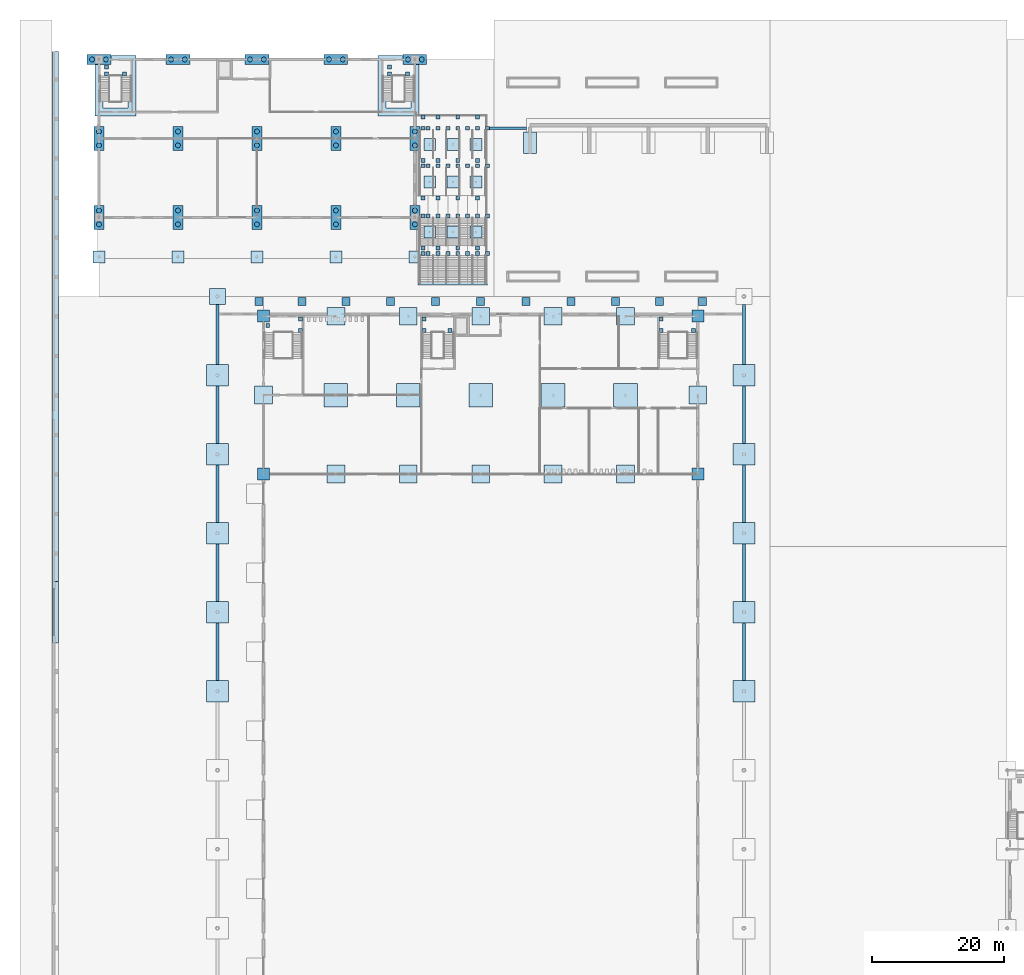
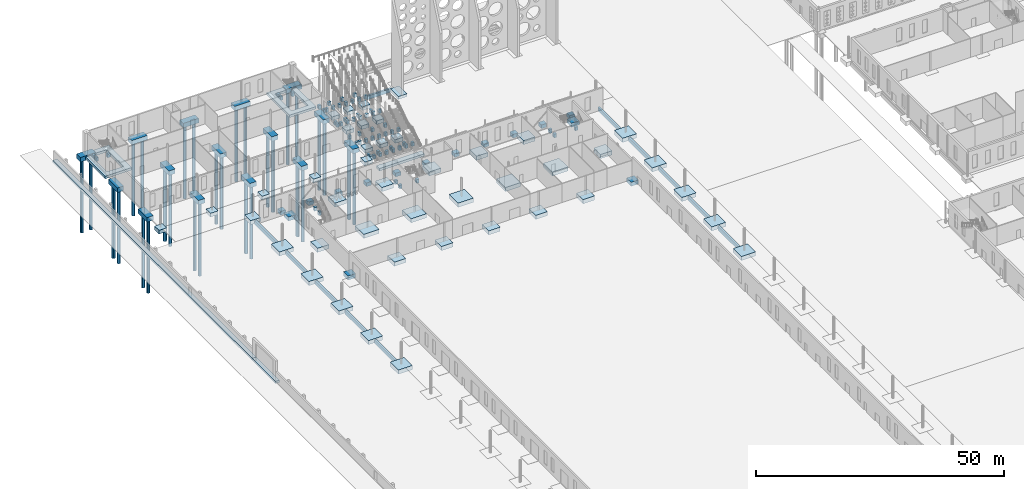
# One storey, part 4 of 132: 152 footings, 30 piles.
"""IFC4 building model written with IfcOpenShell, lengths in metres."""

import ifcopenshell
import ifcopenshell.guid

model = None  # the IFC model being written
_history = None  # IfcOwnerHistory: only IFC2X3 demands one
_inside = {}  # id of a spatial element -> (the spatial element, [elements in it])
_under = {}  # id of a project, library or spatial element -> (it, [spatial elements below it])
_declared = {}  # id of a project -> (the project, [libraries it declares])
_typed = {}  # id of a type object -> (the type object, [elements of that type])
_made_of = {}  # id of a material, layer set ... -> (it, [elements and type objects made of it])


def new_model(schema):
    """Start an empty IFC model of exactly this schema.

    Asked for "IFC4X3", IfcOpenShell would pick the latest addendum, in which some entities
    have other attributes; the version numbers below select the first issue.
    IFC2X3 requires an IfcOwnerHistory on every rooted entity: one is made here for all.
    """
    global model, _history
    if schema == "IFC4X3":
        model = ifcopenshell.file(schema_version=(4, 3, 0, 0))
    else:
        model = ifcopenshell.file(schema=schema)
    _inside.clear()
    _under.clear()
    _declared.clear()
    _typed.clear()
    _made_of.clear()
    _history = None
    if model.schema == "IFC2X3":
        org = make("IfcOrganization", Name="unknown")
        user = make(
            "IfcPersonAndOrganization",
            ThePerson=make("IfcPerson", FamilyName="unknown"),
            TheOrganization=org,
        )
        app = make(
            "IfcApplication",
            ApplicationDeveloper=org,
            Version="unknown",
            ApplicationFullName="unknown",
            ApplicationIdentifier="unknown",
        )
        _history = make(
            "IfcOwnerHistory",
            OwningUser=user,
            OwningApplication=app,
            ChangeAction="ADDED",
            CreationDate=0,
        )
    return model


def make(cls, **values):
    """One entity of the class cls with the attributes given. An attribute that is None is left unset."""
    return model.create_entity(
        cls, **{name: value for name, value in values.items() if value is not None}
    )


def rooted(cls, **values):
    """An entity with a GlobalId (a new one), such as an element, a storey or a relation."""
    return make(cls, GlobalId=ifcopenshell.guid.new(), OwnerHistory=_history, **values)


def si_unit(unit_type, name, prefix=None):
    """IfcSIUnit, for example si_unit("LENGTHUNIT", "METRE", prefix="MILLI")."""
    return make("IfcSIUnit", UnitType=unit_type, Prefix=prefix, Name=name)


def assignment(units):
    """IfcUnitAssignment: the units of a project."""
    return None if units is None else make("IfcUnitAssignment", Units=units)


def point(xyz):
    """IfcCartesianPoint."""
    return None if xyz is None else make("IfcCartesianPoint", Coordinates=xyz)


def direction(xyz):
    """IfcDirection."""
    return None if xyz is None else make("IfcDirection", DirectionRatios=xyz)


def frame(location, z_axis=None, x_axis=None):
    """IfcAxis2Placement3D, a coordinate frame: its origin and axes. An axis left out is left unset."""
    return make(
        "IfcAxis2Placement3D",
        Location=point(location),
        Axis=direction(z_axis),
        RefDirection=direction(x_axis),
    )


def frame_2d(location, x_axis=None):
    """IfcAxis2Placement2D, a coordinate frame in the plane: its origin and x axis."""
    return make(
        "IfcAxis2Placement2D", Location=point(location), RefDirection=direction(x_axis)
    )


def origin():
    """The frame at (0, 0, 0) with its axes left unset."""
    return frame((0.0, 0.0, 0.0))


def origin_2d():
    """The frame at (0, 0) in the plane with its x axis left unset."""
    return frame_2d((0.0, 0.0))


def place(relative_to, where):
    """IfcLocalPlacement: puts the frame where relative to a parent placement (None: the world)."""
    return make(
        "IfcLocalPlacement", PlacementRelTo=relative_to, RelativePlacement=where
    )


def context(
    kind, dimensions, precision=None, world=None, true_north=None, identifier=None
):
    """IfcGeometricRepresentationContext, for example the 3D "Model" context."""
    return make(
        "IfcGeometricRepresentationContext",
        ContextIdentifier=identifier,
        ContextType=kind,
        CoordinateSpaceDimension=dimensions,
        Precision=precision,
        WorldCoordinateSystem=world,
        TrueNorth=true_north,
    )


def subcontext(parent, identifier, kind, view, scale=None):
    """IfcGeometricRepresentationSubContext, for example "Body" below "Model"."""
    return make(
        "IfcGeometricRepresentationSubContext",
        ContextIdentifier=identifier,
        ContextType=kind,
        ParentContext=parent,
        TargetScale=scale,
        TargetView=view,
    )


def project(units=None, contexts=None):
    """IfcProject with its units and contexts."""
    return rooted(
        "IfcProject",
        Name="project",
        RepresentationContexts=contexts,
        UnitsInContext=assignment(units),
    )


def spatial(cls, under=None, at=None, **own):
    """A site, building, storey or space (cls), placed at a placement, below another one or the project."""
    s = rooted(cls, ObjectPlacement=at, **own)
    if under is not None:
        _under.setdefault(under.id(), (under, []))[1].append(s)
    return s


def polyline(points):
    """IfcPolyline through the points."""
    return make("IfcPolyline", Points=[point(p) for p in points])


def profile(cls, at=None, kind="AREA", **sizes):
    """A parametric profile (cls). Its sizes go by their IFC names, for example OverallWidth=200.0."""
    return make(cls, ProfileType=kind, Position=at, **sizes)


def rectangle(**sizes):
    """IfcRectangleProfileDef."""
    return profile("IfcRectangleProfileDef", **sizes)


def circle(**sizes):
    """IfcCircleProfileDef."""
    return profile("IfcCircleProfileDef", **sizes)


def outline(outer, holes=None, kind="AREA"):
    """IfcArbitraryClosedProfileDef: a profile drawn as a closed curve; with holes, ...WithVoids."""
    if holes is None:
        return make("IfcArbitraryClosedProfileDef", ProfileType=kind, OuterCurve=outer)
    return make(
        "IfcArbitraryProfileDefWithVoids",
        ProfileType=kind,
        OuterCurve=outer,
        InnerCurves=holes,
    )


def extrude(swept, where, along, depth):
    """IfcExtrudedAreaSolid: the profile swept, set in the frame where, extruded along a direction by depth."""
    return make(
        "IfcExtrudedAreaSolid",
        SweptArea=swept,
        Position=where,
        ExtrudedDirection=direction(along),
        Depth=depth,
    )


def shape(context_of_items, identifier, shape_type, items):
    """IfcShapeRepresentation: the items that make up one representation, for example the "Body"."""
    return make(
        "IfcShapeRepresentation",
        ContextOfItems=context_of_items,
        RepresentationIdentifier=identifier,
        RepresentationType=shape_type,
        Items=items,
    )


def material(Name=None, Category=None):
    """IfcMaterial."""
    return make("IfcMaterial", Name=Name, Category=Category)


def material_profile(
    of_material, cross_section, Name=None, Category=None, Priority=None
):
    """IfcMaterialProfile: a cross section and its material."""
    return make(
        "IfcMaterialProfile",
        Name=Name,
        Material=of_material,
        Profile=cross_section,
        Priority=Priority,
        Category=Category,
    )


def profile_set(profiles, Name=None, composite=None):
    """IfcMaterialProfileSet."""
    return make(
        "IfcMaterialProfileSet",
        Name=Name,
        MaterialProfiles=profiles,
        CompositeProfile=composite,
    )


def made_of(thing, what):
    """Note that an element or type object is made of a material, layer set ...; save() writes the relation."""
    if what is not None:
        _made_of.setdefault(what.id(), (what, []))[1].append(thing)
    return thing


def type_object(cls, material=None, **own):
    """A type object (cls), such as IfcWallType, which elements share."""
    return made_of(rooted(cls, **own), material)


def element(
    cls,
    number,
    at=None,
    inside=None,
    cuts=None,
    type_object=None,
    material=None,
    context=None,
    identifier="Body",
    shape_type=None,
    held_by="IfcProductDefinitionShape",
    body=None,
    shapes=None,
    **own,
):
    """One element of the class cls, such as IfcWall. Its Tag is "e" and its number.

    at: its placement. inside: the storey or other place that contains it. cuts: it is an
    opening in that element (IfcRelVoidsElement). A single representation is given by context,
    identifier, shape_type and body (its items); several are given by shapes. held_by: the class
    of the entity that holds the representations. save() writes the other relations.
    """
    e = rooted(cls, Tag="e%d" % number, ObjectPlacement=at, **own)
    if body is not None:
        shapes = [shape(context, identifier, shape_type, body)]
    if shapes is not None:
        e.Representation = make(held_by, Representations=shapes)
    if inside is not None:
        _inside.setdefault(inside.id(), (inside, []))[1].append(e)
    if cuts is not None:
        rooted(
            "IfcRelVoidsElement", RelatingBuildingElement=cuts, RelatedOpeningElement=e
        )
    if type_object is not None:
        _typed.setdefault(type_object.id(), (type_object, []))[1].append(e)
    return made_of(e, material)


def aggregate(whole, parts):
    """IfcRelAggregates: a whole, such as a stair, and the parts it consists of."""
    return rooted("IfcRelAggregates", RelatingObject=whole, RelatedObjects=parts)


def save(model, path):
    """Write the relations noted so far, then the file.

    IfcRelAggregates (storeys below a building ...), IfcRelContainedInSpatialStructure (elements
    in a storey), IfcRelDefinesByType, IfcRelAssociatesMaterial and IfcRelDeclares: one each for
    every whole, place, type object, material and project.
    """
    for whole, parts in _under.values():
        aggregate(whole, parts)
    for where, things in _inside.values():
        rooted(
            "IfcRelContainedInSpatialStructure",
            RelatedElements=things,
            RelatingStructure=where,
        )
    for kind, things in _typed.values():
        rooted("IfcRelDefinesByType", RelatedObjects=things, RelatingType=kind)
    for what, things in _made_of.values():
        rooted("IfcRelAssociatesMaterial", RelatedObjects=things, RelatingMaterial=what)
    for by, libraries in _declared.values():
        rooted("IfcRelDeclares", RelatingContext=by, RelatedDefinitions=libraries)
    model.write(path)


model = new_model("IFC4")

# Units and contexts
model_context = context("Model", 3, precision=1e-05, world=origin(), true_north=direction((0.0, 1.0)))
body_context = subcontext(model_context, "Body", "Model", "MODEL_VIEW")
ifc_project = project(units=[si_unit("LENGTHUNIT", "METRE"), si_unit("AREAUNIT", "SQUARE_METRE"), si_unit("VOLUMEUNIT", "CUBIC_METRE"), si_unit("PLANEANGLEUNIT", "RADIAN"), si_unit("MASSUNIT", "GRAM", prefix="KILO")], contexts=[model_context])

# Site, building, storey
site_placement = place(None, origin())
site = spatial("IfcSite", under=ifc_project, at=site_placement, CompositionType="ELEMENT")
building_placement = place(site_placement, origin())
building = spatial("IfcBuilding", under=site, at=building_placement, Name="Ravi Spectrum Wholesale Market", CompositionType="ELEMENT")
storey_placement = place(building_placement, origin())
storey = spatial("IfcBuildingStorey", under=building, at=storey_placement, Name="L00", CompositionType="ELEMENT", Elevation=0.0)

# Piles
ifc_material_1 = material(Name="Concrete C35/45", Category="concrete")
ifc_material_profile = material_profile(ifc_material_1, circle(Radius=0.375, at=origin_2d()))
ifc_profile_set = profile_set([ifc_material_profile], Name="Concrete C35/45")
pile_type = type_object("IfcPileType", Name="Bored pile D750", PredefinedType="BORED", material=ifc_profile_set)
for number, where, z_axis, x_axis, name in (
    (1, (12.0, 208.949951171875, -1.0), (0.0, 0.0, -1.0), (1.0, 0.0, 0.0), "OF-PL-L00-001"),
    (2, (12.0, 211.050048828125, -1.0), (0.0, 0.0, -1.0), (1.0, 0.0, 0.0), "OF-PL-L00-002"),
    (3, (12.0, 220.949951171875, -1.0), (0.0, 0.0, -1.0), (1.0, 0.0, 0.0), "OF-PL-L00-003"),
    (4, (12.0, 223.050048828125, -1.0), (0.0, 0.0, -1.0), (1.0, 0.0, 0.0), "OF-PL-L00-004"),
    (5, (10.949951171875, 234.0, -1.0), (0.0, 0.0, -1.0), (1.0, 0.0, 0.0), "OF-PL-L00-005"),
    (6, (13.050048828125, 234.0, -1.0), (0.0, 0.0, -1.0), (1.0, 0.0, 0.0), "OF-PL-L00-006"),
    (7, (24.0, 208.949951171875, -1.0), (0.0, 0.0, -1.0), (1.0, 0.0, 0.0), "OF-PL-L00-007"),
    (8, (24.0, 211.050048828125, -1.0), (0.0, 0.0, -1.0), (1.0, 0.0, 0.0), "OF-PL-L00-008"),
    (9, (24.0, 220.949951171875, -1.0), (0.0, 0.0, -1.0), (1.0, 0.0, 0.0), "OF-PL-L00-009"),
    (10, (24.0, 223.050048828125, -1.0), (0.0, 0.0, -1.0), (1.0, 0.0, 0.0), "OF-PL-L00-010"),
    (11, (22.949951171875, 234.0, -1.0), (0.0, 0.0, -1.0), (1.0, 0.0, 0.0), "OF-PL-L00-011"),
    (12, (25.050048828125, 234.0, -1.0), (0.0, 0.0, -1.0), (1.0, 0.0, 0.0), "OF-PL-L00-012"),
    (13, (36.0, 208.949951171875, -1.0), (0.0, 0.0, -1.0), (1.0, 0.0, 0.0), "OF-PL-L00-013"),
    (14, (36.0, 211.050048828125, -1.0), (0.0, 0.0, -1.0), (1.0, 0.0, 0.0), "OF-PL-L00-014"),
    (15, (36.0, 220.949951171875, -1.0), (0.0, 0.0, -1.0), (1.0, 0.0, 0.0), "OF-PL-L00-015"),
    (16, (36.0, 223.050048828125, -1.0), (0.0, 0.0, -1.0), (1.0, 0.0, 0.0), "OF-PL-L00-016"),
    (17, (34.949951171875, 234.0, -1.0), (0.0, 0.0, -1.0), (1.0, 0.0, 0.0), "OF-PL-L00-017"),
    (18, (37.050048828125, 234.0, -1.0), (0.0, 0.0, -1.0), (1.0, 0.0, 0.0), "OF-PL-L00-018"),
    (19, (48.0, 208.949951171875, -1.0), (0.0, 0.0, -1.0), (1.0, 0.0, 0.0), "OF-PL-L00-019"),
    (20, (48.0, 211.050048828125, -1.0), (0.0, 0.0, -1.0), (1.0, 0.0, 0.0), "OF-PL-L00-020"),
    (21, (48.0, 220.949951171875, -1.0), (0.0, 0.0, -1.0), (1.0, 0.0, 0.0), "OF-PL-L00-021"),
    (22, (48.0, 223.050048828125, -1.0), (0.0, 0.0, -1.0), (1.0, 0.0, 0.0), "OF-PL-L00-022"),
    (23, (46.949951171875, 234.0, -1.0), (0.0, 0.0, -1.0), (1.0, 0.0, 0.0), "OF-PL-L00-023"),
    (24, (49.050048828125, 234.0, -1.0), (0.0, 0.0, -1.0), (1.0, 0.0, 0.0), "OF-PL-L00-024"),
    (25, (60.0, 208.949951171875, -1.0), (0.0, 0.0, -1.0), (1.0, 0.0, 0.0), "OF-PL-L00-025"),
    (26, (60.0, 211.050048828125, -1.0), (0.0, 0.0, -1.0), (1.0, 0.0, 0.0), "OF-PL-L00-026"),
    (27, (60.0, 220.949951171875, -1.0), (0.0, 0.0, -1.0), (1.0, 0.0, 0.0), "OF-PL-L00-027"),
    (28, (60.0, 223.050048828125, -1.0), (0.0, 0.0, -1.0), (1.0, 0.0, 0.0), "OF-PL-L00-028"),
    (29, (58.949951171875, 234.0, -1.0), (0.0, 0.0, -1.0), (1.0, 0.0, 0.0), "OF-PL-L00-029"),
    (30, (61.050048828125, 234.0, -1.0), (0.0, 0.0, -1.0), (1.0, 0.0, 0.0), "OF-PL-L00-030"),
):
    element("IfcPile", number, at=place(storey_placement, frame(where, z_axis=z_axis, x_axis=x_axis)), inside=storey, type_object=pile_type, Name=name, PredefinedType="BORED", context=body_context, shape_type="SweptSolid", body=[
        extrude(circle(Radius=0.375, at=origin_2d()), origin(), (0.0, 0.0, 1.0), 18.10009765625),
    ])

# Footings
ifc_material_2 = material(Name="Concrete C35/45", Category="concrete")
footing_type_1 = type_object("IfcFootingType", Name="Boundary strip footing 1000 x 500", PredefinedType="STRIP_FOOTING", material=ifc_material_2)
footing_1_placement = place(storey_placement, frame((0.0, 0.0, -0.5)))
element("IfcFooting", 31, at=footing_1_placement, inside=storey, type_object=footing_type_1, Name="Boundary strip footing", PredefinedType="STRIP_FOOTING", context=body_context, shape_type="SweptSolid", body=[
    extrude(outline(polyline([(4.85009765625, 145.300048828125), (5.85009765625, 145.300048828125), (5.85009765625, 154.699951171875), (4.85009765625, 154.699951171875), (4.85009765625, 145.300048828125)])), origin(), (0.0, 0.0, 1.0), 0.5),
])
footing_2_placement = place(storey_placement, frame((0.0, 0.0, -0.5)))
element("IfcFooting", 32, at=footing_2_placement, inside=storey, type_object=footing_type_1, Name="Boundary strip footing", PredefinedType="STRIP_FOOTING", context=body_context, shape_type="SweptSolid", body=[
    extrude(outline(polyline([(4.85009765625, 154.699951171875), (5.85009765625, 154.699951171875), (5.85009765625, 235.199951171875), (4.85009765625, 235.199951171875), (4.85009765625, 154.699951171875)])), origin(), (0.0, 0.0, 1.0), 0.5),
])
ifc_material_3 = material(Name="Concrete C35/45", Category="concrete")
footing_type_2 = type_object("IfcFootingType", Name="Ground beam 450x900", PredefinedType="FOOTING_BEAM", material=ifc_material_3)
footing_3_placement = place(storey_placement, frame((0.0, 0.0, -1.199951171875)))
element("IfcFooting", 33, at=footing_3_placement, inside=storey, type_object=footing_type_2, Name="H1-GB-L00-010", PredefinedType="FOOTING_BEAM", context=body_context, shape_type="SweptSolid", body=[
    extrude(outline(polyline([(29.77490234375, 139.64990234375), (29.77490234375, 148.35009765625), (30.22509765625, 148.35009765625), (30.22509765625, 139.64990234375), (29.77490234375, 139.64990234375)])), origin(), (0.0, 0.0, 1.0), 0.89990234375),
])
footing_4_placement = place(storey_placement, frame((0.0, 0.0, -1.199951171875)))
element("IfcFooting", 34, at=footing_4_placement, inside=storey, type_object=footing_type_2, Name="H1-GB-L00-011", PredefinedType="FOOTING_BEAM", context=body_context, shape_type="SweptSolid", body=[
    extrude(outline(polyline([(29.77490234375, 151.64990234375), (29.77490234375, 160.35009765625), (30.22509765625, 160.35009765625), (30.22509765625, 151.64990234375), (29.77490234375, 151.64990234375)])), origin(), (0.0, 0.0, 1.0), 0.89990234375),
])
footing_5_placement = place(storey_placement, frame((0.0, 0.0, -1.199951171875)))
element("IfcFooting", 35, at=footing_5_placement, inside=storey, type_object=footing_type_2, Name="H1-GB-L00-012", PredefinedType="FOOTING_BEAM", context=body_context, shape_type="SweptSolid", body=[
    extrude(outline(polyline([(29.77490234375, 163.64990234375), (29.77490234375, 172.35009765625), (30.22509765625, 172.35009765625), (30.22509765625, 163.64990234375), (29.77490234375, 163.64990234375)])), origin(), (0.0, 0.0, 1.0), 0.89990234375),
])
footing_6_placement = place(storey_placement, frame((0.0, 0.0, -1.199951171875)))
element("IfcFooting", 36, at=footing_6_placement, inside=storey, type_object=footing_type_2, Name="H1-GB-L00-013", PredefinedType="FOOTING_BEAM", context=body_context, shape_type="SweptSolid", body=[
    extrude(outline(polyline([(29.77490234375, 175.64990234375), (29.77490234375, 184.35009765625), (30.22509765625, 184.35009765625), (30.22509765625, 175.64990234375), (29.77490234375, 175.64990234375)])), origin(), (0.0, 0.0, 1.0), 0.89990234375),
])
footing_7_placement = place(storey_placement, frame((0.0, 0.0, -1.199951171875)))
element("IfcFooting", 37, at=footing_7_placement, inside=storey, type_object=footing_type_2, Name="H1-GB-L00-014", PredefinedType="FOOTING_BEAM", context=body_context, shape_type="SweptSolid", body=[
    extrude(outline(polyline([(29.77490234375, 187.64990234375), (29.77490234375, 196.800048828125), (30.22509765625, 196.800048828125), (30.22509765625, 187.64990234375), (29.77490234375, 187.64990234375)])), origin(), (0.0, 0.0, 1.0), 0.89990234375),
])
footing_8_placement = place(storey_placement, frame((0.0, 0.0, -1.199951171875)))
element("IfcFooting", 38, at=footing_8_placement, inside=storey, type_object=footing_type_2, Name="H1-GB-L00-024", PredefinedType="FOOTING_BEAM", context=body_context, shape_type="SweptSolid", body=[
    extrude(outline(polyline([(109.77490234375, 139.64990234375), (109.77490234375, 148.35009765625), (110.22509765625, 148.35009765625), (110.22509765625, 139.64990234375), (109.77490234375, 139.64990234375)])), origin(), (0.0, 0.0, 1.0), 0.89990234375),
])
footing_9_placement = place(storey_placement, frame((0.0, 0.0, -1.199951171875)))
element("IfcFooting", 39, at=footing_9_placement, inside=storey, type_object=footing_type_2, Name="H1-GB-L00-025", PredefinedType="FOOTING_BEAM", context=body_context, shape_type="SweptSolid", body=[
    extrude(outline(polyline([(109.77490234375, 151.64990234375), (109.77490234375, 160.35009765625), (110.22509765625, 160.35009765625), (110.22509765625, 151.64990234375), (109.77490234375, 151.64990234375)])), origin(), (0.0, 0.0, 1.0), 0.89990234375),
])
footing_10_placement = place(storey_placement, frame((0.0, 0.0, -1.199951171875)))
element("IfcFooting", 40, at=footing_10_placement, inside=storey, type_object=footing_type_2, Name="H1-GB-L00-026", PredefinedType="FOOTING_BEAM", context=body_context, shape_type="SweptSolid", body=[
    extrude(outline(polyline([(109.77490234375, 163.64990234375), (109.77490234375, 172.35009765625), (110.22509765625, 172.35009765625), (110.22509765625, 163.64990234375), (109.77490234375, 163.64990234375)])), origin(), (0.0, 0.0, 1.0), 0.89990234375),
])
footing_11_placement = place(storey_placement, frame((0.0, 0.0, -1.199951171875)))
element("IfcFooting", 41, at=footing_11_placement, inside=storey, type_object=footing_type_2, Name="H1-GB-L00-027", PredefinedType="FOOTING_BEAM", context=body_context, shape_type="SweptSolid", body=[
    extrude(outline(polyline([(109.77490234375, 175.64990234375), (109.77490234375, 184.35009765625), (110.22509765625, 184.35009765625), (110.22509765625, 175.64990234375), (109.77490234375, 175.64990234375)])), origin(), (0.0, 0.0, 1.0), 0.89990234375),
])
footing_12_placement = place(storey_placement, frame((0.0, 0.0, -1.199951171875)))
element("IfcFooting", 42, at=footing_12_placement, inside=storey, type_object=footing_type_2, Name="H1-GB-L00-028", PredefinedType="FOOTING_BEAM", context=body_context, shape_type="SweptSolid", body=[
    extrude(outline(polyline([(109.77490234375, 187.64990234375), (109.77490234375, 196.800048828125), (110.22509765625, 196.800048828125), (110.22509765625, 187.64990234375), (109.77490234375, 187.64990234375)])), origin(), (0.0, 0.0, 1.0), 0.89990234375),
])
footing_13_placement = place(storey_placement, frame((0.0, 0.0, -1.199951171875)))
element("IfcFooting", 43, at=footing_13_placement, inside=storey, type_object=footing_type_2, Name="GW-GB-L00-001", PredefinedType="FOOTING_BEAM", context=body_context, shape_type="SweptSolid", body=[
    extrude(outline(polyline([(71.3349609375, 223.77490234375), (77.0, 223.77490234375), (77.0, 223.324951171875), (71.3349609375, 223.324951171875), (71.3349609375, 223.77490234375)])), origin(), (0.0, 0.0, 1.0), 0.89990234375),
])
ifc_material_4 = material(Name="Concrete C35/45", Category="concrete")
footing_type_3 = type_object("IfcFootingType", Name="Pad footing 1200x1200x900", PredefinedType="PAD_FOOTING", material=ifc_material_4)
for number, where, z_axis, x_axis, name in (
    (44, (36.302978515625, 197.199951171875, -0.89990234375), (0.0, 0.0, 1.0), (1.0, 0.0, 0.0), "H1-PF-L00-045"),
    (45, (42.847900390625, 197.199951171875, -0.89990234375), (0.0, 0.0, 1.0), (1.0, 0.0, 0.0), "H1-PF-L00-046"),
    (46, (49.52197265625, 197.199951171875, -0.89990234375), (0.0, 0.0, 1.0), (1.0, 0.0, 0.0), "H1-PF-L00-047"),
    (47, (56.293701171875, 197.199951171875, -0.89990234375), (0.0, 0.0, 1.0), (1.0, 0.0, 0.0), "H1-PF-L00-048"),
    (48, (63.13037109375, 197.199951171875, -0.89990234375), (0.0, 0.0, 1.0), (1.0, 0.0, 0.0), "H1-PF-L00-049"),
    (49, (70.0, 197.199951171875, -0.89990234375), (0.0, 0.0, 1.0), (1.0, 0.0, 0.0), "H1-PF-L00-050"),
    (50, (76.86962890625, 197.199951171875, -0.89990234375), (0.0, 0.0, 1.0), (1.0, 0.0, 0.0), "H1-PF-L00-051"),
    (51, (83.706298828125, 197.199951171875, -0.89990234375), (0.0, 0.0, 1.0), (1.0, 0.0, 0.0), "H1-PF-L00-052"),
    (52, (90.47802734375, 197.199951171875, -0.89990234375), (0.0, 0.0, 1.0), (1.0, 0.0, 0.0), "H1-PF-L00-053"),
    (53, (97.152099609375, 197.199951171875, -0.89990234375), (0.0, 0.0, 1.0), (1.0, 0.0, 0.0), "H1-PF-L00-054"),
    (54, (103.697021484375, 197.199951171875, -0.89990234375), (0.0, 0.0, 1.0), (1.0, 0.0, 0.0), "H1-PF-L00-055"),
):
    element("IfcFooting", number, at=place(storey_placement, frame(where, z_axis=z_axis, x_axis=x_axis)), inside=storey, type_object=footing_type_3, Name=name, PredefinedType="PAD_FOOTING", context=body_context, shape_type="SweptSolid", body=[
        extrude(rectangle(XDim=1.199951171875, YDim=1.199951171875, at=origin_2d()), origin(), (0.0, 0.0, 1.0), 0.89990234375),
    ])
ifc_material_5 = material(Name="Concrete C35/45", Category="concrete")
footing_type_4 = type_object("IfcFootingType", Name="Pad footing 1800x1800x1000", PredefinedType="PAD_FOOTING", material=ifc_material_5)
for number, where, z_axis, x_axis, name in (
    (55, (37.0, 171.0, -1.0), (0.0, 0.0, 1.0), (1.0, 0.0, 0.0), "H1-PF-L00-056"),
    (56, (37.0, 195.0, -1.0), (0.0, 0.0, 1.0), (1.0, 0.0, 0.0), "H1-PF-L00-058"),
    (57, (103.0, 171.0, -1.0), (0.0, 0.0, 1.0), (1.0, 0.0, 0.0), "H1-PF-L00-074"),
    (58, (103.0, 195.0, -1.0), (0.0, 0.0, 1.0), (1.0, 0.0, 0.0), "H1-PF-L00-076"),
):
    element("IfcFooting", number, at=place(storey_placement, frame(where, z_axis=z_axis, x_axis=x_axis)), inside=storey, type_object=footing_type_4, Name=name, PredefinedType="PAD_FOOTING", context=body_context, shape_type="SweptSolid", body=[
        extrude(rectangle(XDim=1.800048828125, YDim=1.800048828125, at=origin_2d()), origin(), (0.0, 0.0, 1.0), 1.0),
    ])
ifc_material_6 = material(Name="Concrete C35/45", Category="concrete")
footing_type_5 = type_object("IfcFootingType", Name="Pad footing 1800x1800x900", PredefinedType="PAD_FOOTING", material=ifc_material_6)
for number, where, z_axis, x_axis, name in (
    (59, (12.0, 204.0, -0.89990234375), (0.0, 0.0, 1.0), (1.0, 0.0, 0.0), "OF-PF-L00-001"),
    (60, (24.0, 204.0, -0.89990234375), (0.0, 0.0, 1.0), (1.0, 0.0, 0.0), "OF-PF-L00-002"),
    (61, (36.0, 204.0, -0.89990234375), (0.0, 0.0, 1.0), (1.0, 0.0, 0.0), "OF-PF-L00-003"),
    (62, (48.0, 204.0, -0.89990234375), (0.0, 0.0, 1.0), (1.0, 0.0, 0.0), "OF-PF-L00-004"),
    (63, (60.0, 204.0, -0.89990234375), (0.0, 0.0, 1.0), (1.0, 0.0, 0.0), "OF-PF-L00-005"),
    (64, (62.255859375, 207.800048828125, -0.89990234375), (0.0, 0.0, 1.0), (1.0, 0.0, 0.0), "GW-PF-L00-049"),
    (65, (65.767578125, 207.800048828125, -0.89990234375), (0.0, 0.0, 1.0), (1.0, 0.0, 0.0), "GW-PF-L00-050"),
    (66, (69.279052734375, 207.800048828125, -0.89990234375), (0.0, 0.0, 1.0), (1.0, 0.0, 0.0), "GW-PF-L00-051"),
    (67, (62.255859375, 215.39990234375, -0.89990234375), (0.0, 0.0, 1.0), (1.0, 0.0, 0.0), "GW-PF-L00-052"),
    (68, (65.767578125, 215.39990234375, -0.89990234375), (0.0, 0.0, 1.0), (1.0, 0.0, 0.0), "GW-PF-L00-053"),
    (69, (69.279052734375, 215.39990234375, -0.89990234375), (0.0, 0.0, 1.0), (1.0, 0.0, 0.0), "GW-PF-L00-054"),
    (70, (62.255859375, 221.10009765625, -0.89990234375), (0.0, 0.0, 1.0), (1.0, 0.0, 0.0), "GW-PF-L00-055"),
    (71, (65.767578125, 221.10009765625, -0.89990234375), (0.0, 0.0, 1.0), (1.0, 0.0, 0.0), "GW-PF-L00-056"),
    (72, (69.279052734375, 221.10009765625, -0.89990234375), (0.0, 0.0, 1.0), (1.0, 0.0, 0.0), "GW-PF-L00-057"),
):
    element("IfcFooting", number, at=place(storey_placement, frame(where, z_axis=z_axis, x_axis=x_axis)), inside=storey, type_object=footing_type_5, Name=name, PredefinedType="PAD_FOOTING", context=body_context, shape_type="SweptSolid", body=[
        extrude(rectangle(XDim=1.800048828125, YDim=1.800048828125, at=origin_2d()), origin(), (0.0, 0.0, 1.0), 0.89990234375),
    ])
ifc_material_7 = material(Name="Concrete C35/45", Category="concrete")
footing_type_6 = type_object("IfcFootingType", Name="Pad footing 2400x2400x1000", PredefinedType="PAD_FOOTING", material=ifc_material_7)
footing_14_placement = place(storey_placement, frame((30.0, 198.0, -1.0), z_axis=(0.0, 0.0, 1.0), x_axis=(1.0, 0.0, 0.0)))
element("IfcFooting", 73, at=footing_14_placement, inside=storey, type_object=footing_type_6, Name="H1-PF-L00-015", PredefinedType="PAD_FOOTING", context=body_context, shape_type="SweptSolid", body=[
    extrude(rectangle(XDim=2.39990234375, YDim=2.39990234375, at=origin_2d()), origin(), (0.0, 0.0, 1.0), 1.0),
])
ifc_material_8 = material(Name="Concrete C35/45", Category="concrete")
footing_type_7 = type_object("IfcFootingType", Name="Pad footing 2700x2700x1000", PredefinedType="PAD_FOOTING", material=ifc_material_8)
for number, where, z_axis, x_axis, name in (
    (74, (37.0, 183.0, -1.0), (0.0, 0.0, 1.0), (1.0, 0.0, 0.0), "H1-PF-L00-057"),
    (75, (48.0, 171.0, -1.0), (0.0, 0.0, 1.0), (1.0, 0.0, 0.0), "H1-PF-L00-059"),
    (76, (48.0, 195.0, -1.0), (0.0, 0.0, 1.0), (1.0, 0.0, 0.0), "H1-PF-L00-061"),
    (77, (59.0, 171.0, -1.0), (0.0, 0.0, 1.0), (1.0, 0.0, 0.0), "H1-PF-L00-062"),
    (78, (59.0, 195.0, -1.0), (0.0, 0.0, 1.0), (1.0, 0.0, 0.0), "H1-PF-L00-064"),
    (79, (70.0, 171.0, -1.0), (0.0, 0.0, 1.0), (1.0, 0.0, 0.0), "H1-PF-L00-065"),
    (80, (70.0, 195.0, -1.0), (0.0, 0.0, 1.0), (1.0, 0.0, 0.0), "H1-PF-L00-067"),
    (81, (81.0, 171.0, -1.0), (0.0, 0.0, 1.0), (1.0, 0.0, 0.0), "H1-PF-L00-068"),
    (82, (81.0, 195.0, -1.0), (0.0, 0.0, 1.0), (1.0, 0.0, 0.0), "H1-PF-L00-070"),
    (83, (92.0, 171.0, -1.0), (0.0, 0.0, 1.0), (1.0, 0.0, 0.0), "H1-PF-L00-071"),
    (84, (92.0, 195.0, -1.0), (0.0, 0.0, 1.0), (1.0, 0.0, 0.0), "H1-PF-L00-073"),
    (85, (103.0, 183.0, -1.0), (0.0, 0.0, 1.0), (1.0, 0.0, 0.0), "H1-PF-L00-075"),
):
    element("IfcFooting", number, at=place(storey_placement, frame(where, z_axis=z_axis, x_axis=x_axis)), inside=storey, type_object=footing_type_7, Name=name, PredefinedType="PAD_FOOTING", context=body_context, shape_type="SweptSolid", body=[
        extrude(rectangle(XDim=2.699951171875, YDim=2.699951171875, at=origin_2d()), origin(), (0.0, 0.0, 1.0), 1.0),
    ])
ifc_material_9 = material(Name="Concrete C35/45", Category="concrete")
footing_type_8 = type_object("IfcFootingType", Name="Pad footing 3300x3300x1000", PredefinedType="PAD_FOOTING", material=ifc_material_9)
for number, where, z_axis, x_axis, name in (
    (86, (30.0, 138.0, -1.0), (0.0, 0.0, 1.0), (1.0, 0.0, 0.0), "H1-PF-L00-010"),
    (87, (30.0, 150.0, -1.0), (0.0, 0.0, 1.0), (1.0, 0.0, 0.0), "H1-PF-L00-011"),
    (88, (30.0, 162.0, -1.0), (0.0, 0.0, 1.0), (1.0, 0.0, 0.0), "H1-PF-L00-012"),
    (89, (30.0, 174.0, -1.0), (0.0, 0.0, 1.0), (1.0, 0.0, 0.0), "H1-PF-L00-013"),
    (90, (30.0, 186.0, -1.0), (0.0, 0.0, 1.0), (1.0, 0.0, 0.0), "H1-PF-L00-014"),
    (91, (110.0, 138.0, -1.0), (0.0, 0.0, 1.0), (1.0, 0.0, 0.0), "H1-PF-L00-025"),
    (92, (110.0, 150.0, -1.0), (0.0, 0.0, 1.0), (1.0, 0.0, 0.0), "H1-PF-L00-026"),
    (93, (110.0, 162.0, -1.0), (0.0, 0.0, 1.0), (1.0, 0.0, 0.0), "H1-PF-L00-027"),
    (94, (110.0, 174.0, -1.0), (0.0, 0.0, 1.0), (1.0, 0.0, 0.0), "H1-PF-L00-028"),
    (95, (110.0, 186.0, -1.0), (0.0, 0.0, 1.0), (1.0, 0.0, 0.0), "H1-PF-L00-029"),
):
    element("IfcFooting", number, at=place(storey_placement, frame(where, z_axis=z_axis, x_axis=x_axis)), inside=storey, type_object=footing_type_8, Name=name, PredefinedType="PAD_FOOTING", context=body_context, shape_type="SweptSolid", body=[
        extrude(rectangle(XDim=3.300048828125, YDim=3.300048828125, at=origin_2d()), origin(), (0.0, 0.0, 1.0), 1.0),
    ])
ifc_material_10 = material(Name="Concrete C35/45", Category="concrete")
footing_type_9 = type_object("IfcFootingType", Name="Pad footing 3600x3600x1000", PredefinedType="PAD_FOOTING", material=ifc_material_10)
for number, where, z_axis, x_axis, name in (
    (96, (48.0, 183.0, -1.0), (0.0, 0.0, 1.0), (1.0, 0.0, 0.0), "H1-PF-L00-060"),
    (97, (59.0, 183.0, -1.0), (0.0, 0.0, 1.0), (1.0, 0.0, 0.0), "H1-PF-L00-063"),
    (98, (70.0, 183.0, -1.0), (0.0, 0.0, 1.0), (1.0, 0.0, 0.0), "H1-PF-L00-066"),
    (99, (81.0, 183.0, -1.0), (0.0, 0.0, 1.0), (1.0, 0.0, 0.0), "H1-PF-L00-069"),
    (100, (92.0, 183.0, -1.0), (0.0, 0.0, 1.0), (1.0, 0.0, 0.0), "H1-PF-L00-072"),
):
    element("IfcFooting", number, at=place(storey_placement, frame(where, z_axis=z_axis, x_axis=x_axis)), inside=storey, type_object=footing_type_9, Name=name, PredefinedType="PAD_FOOTING", context=body_context, shape_type="SweptSolid", body=[
        extrude(rectangle(XDim=3.60009765625, YDim=3.60009765625, at=origin_2d()), origin(), (0.0, 0.0, 1.0), 1.0),
    ])
ifc_material_11 = material(Name="Concrete C35/45", Category="concrete")
footing_type_10 = type_object("IfcFootingType", Name="Pad footing 600x600x900", PredefinedType="PAD_FOOTING", material=ifc_material_11)
for number, where, z_axis, x_axis, name in (
    (101, (61.25, 204.550048828125, -0.89990234375), (0.0, 0.0, 1.0), (1.0, 0.0, 0.0), "GW-PF-L00-001"),
    (102, (61.25, 205.35009765625, -0.89990234375), (0.0, 0.0, 1.0), (1.0, 0.0, 0.0), "GW-PF-L00-002"),
    (103, (62.0048828125, 204.550048828125, -0.89990234375), (0.0, 0.0, 1.0), (1.0, 0.0, 0.0), "GW-PF-L00-003"),
    (104, (63.510009765625, 204.550048828125, -0.89990234375), (0.0, 0.0, 1.0), (1.0, 0.0, 0.0), "GW-PF-L00-004"),
    (105, (63.510009765625, 205.35009765625, -0.89990234375), (0.0, 0.0, 1.0), (1.0, 0.0, 0.0), "GW-PF-L00-005"),
    (106, (65.014892578125, 204.550048828125, -0.89990234375), (0.0, 0.0, 1.0), (1.0, 0.0, 0.0), "GW-PF-L00-006"),
    (107, (66.52001953125, 204.550048828125, -0.89990234375), (0.0, 0.0, 1.0), (1.0, 0.0, 0.0), "GW-PF-L00-007"),
    (108, (66.52001953125, 205.35009765625, -0.89990234375), (0.0, 0.0, 1.0), (1.0, 0.0, 0.0), "GW-PF-L00-008"),
    (109, (68.02490234375, 204.550048828125, -0.89990234375), (0.0, 0.0, 1.0), (1.0, 0.0, 0.0), "GW-PF-L00-009"),
    (110, (69.530029296875, 204.550048828125, -0.89990234375), (0.0, 0.0, 1.0), (1.0, 0.0, 0.0), "GW-PF-L00-010"),
    (111, (69.530029296875, 205.35009765625, -0.89990234375), (0.0, 0.0, 1.0), (1.0, 0.0, 0.0), "GW-PF-L00-011"),
    (112, (71.034912109375, 204.550048828125, -0.89990234375), (0.0, 0.0, 1.0), (1.0, 0.0, 0.0), "GW-PF-L00-012"),
    (113, (61.25, 210.25, -0.89990234375), (0.0, 0.0, 1.0), (1.0, 0.0, 0.0), "GW-PF-L00-013"),
    (114, (61.25, 212.949951171875, -0.89990234375), (0.0, 0.0, 1.0), (1.0, 0.0, 0.0), "GW-PF-L00-014"),
    (115, (62.0048828125, 210.25, -0.89990234375), (0.0, 0.0, 1.0), (1.0, 0.0, 0.0), "GW-PF-L00-015"),
    (116, (63.510009765625, 210.25, -0.89990234375), (0.0, 0.0, 1.0), (1.0, 0.0, 0.0), "GW-PF-L00-016"),
    (117, (63.510009765625, 212.949951171875, -0.89990234375), (0.0, 0.0, 1.0), (1.0, 0.0, 0.0), "GW-PF-L00-017"),
    (118, (65.014892578125, 210.25, -0.89990234375), (0.0, 0.0, 1.0), (1.0, 0.0, 0.0), "GW-PF-L00-018"),
    (119, (66.52001953125, 210.25, -0.89990234375), (0.0, 0.0, 1.0), (1.0, 0.0, 0.0), "GW-PF-L00-019"),
    (120, (66.52001953125, 212.949951171875, -0.89990234375), (0.0, 0.0, 1.0), (1.0, 0.0, 0.0), "GW-PF-L00-020"),
    (121, (68.02490234375, 210.25, -0.89990234375), (0.0, 0.0, 1.0), (1.0, 0.0, 0.0), "GW-PF-L00-021"),
    (122, (69.530029296875, 210.25, -0.89990234375), (0.0, 0.0, 1.0), (1.0, 0.0, 0.0), "GW-PF-L00-022"),
    (123, (69.530029296875, 212.949951171875, -0.89990234375), (0.0, 0.0, 1.0), (1.0, 0.0, 0.0), "GW-PF-L00-023"),
    (124, (71.034912109375, 210.25, -0.89990234375), (0.0, 0.0, 1.0), (1.0, 0.0, 0.0), "GW-PF-L00-024"),
    (125, (61.25, 217.85009765625, -0.89990234375), (0.0, 0.0, 1.0), (1.0, 0.0, 0.0), "GW-PF-L00-025"),
    (126, (61.25, 218.64990234375, -0.89990234375), (0.0, 0.0, 1.0), (1.0, 0.0, 0.0), "GW-PF-L00-026"),
    (127, (62.0048828125, 217.85009765625, -0.89990234375), (0.0, 0.0, 1.0), (1.0, 0.0, 0.0), "GW-PF-L00-027"),
    (128, (63.510009765625, 217.85009765625, -0.89990234375), (0.0, 0.0, 1.0), (1.0, 0.0, 0.0), "GW-PF-L00-028"),
    (129, (63.510009765625, 218.64990234375, -0.89990234375), (0.0, 0.0, 1.0), (1.0, 0.0, 0.0), "GW-PF-L00-029"),
    (130, (65.014892578125, 217.85009765625, -0.89990234375), (0.0, 0.0, 1.0), (1.0, 0.0, 0.0), "GW-PF-L00-030"),
    (131, (66.52001953125, 217.85009765625, -0.89990234375), (0.0, 0.0, 1.0), (1.0, 0.0, 0.0), "GW-PF-L00-031"),
    (132, (66.52001953125, 218.64990234375, -0.89990234375), (0.0, 0.0, 1.0), (1.0, 0.0, 0.0), "GW-PF-L00-032"),
    (133, (68.02490234375, 217.85009765625, -0.89990234375), (0.0, 0.0, 1.0), (1.0, 0.0, 0.0), "GW-PF-L00-033"),
    (134, (69.530029296875, 217.85009765625, -0.89990234375), (0.0, 0.0, 1.0), (1.0, 0.0, 0.0), "GW-PF-L00-034"),
    (135, (69.530029296875, 218.64990234375, -0.89990234375), (0.0, 0.0, 1.0), (1.0, 0.0, 0.0), "GW-PF-L00-035"),
    (136, (71.034912109375, 217.85009765625, -0.89990234375), (0.0, 0.0, 1.0), (1.0, 0.0, 0.0), "GW-PF-L00-036"),
    (137, (61.25, 223.550048828125, -0.89990234375), (0.0, 0.0, 1.0), (1.0, 0.0, 0.0), "GW-PF-L00-037"),
    (138, (61.25, 225.25, -0.89990234375), (0.0, 0.0, 1.0), (1.0, 0.0, 0.0), "GW-PF-L00-038"),
    (139, (62.0048828125, 223.550048828125, -0.89990234375), (0.0, 0.0, 1.0), (1.0, 0.0, 0.0), "GW-PF-L00-039"),
    (140, (63.510009765625, 223.550048828125, -0.89990234375), (0.0, 0.0, 1.0), (1.0, 0.0, 0.0), "GW-PF-L00-040"),
    (141, (63.510009765625, 225.25, -0.89990234375), (0.0, 0.0, 1.0), (1.0, 0.0, 0.0), "GW-PF-L00-041"),
    (142, (65.014892578125, 223.550048828125, -0.89990234375), (0.0, 0.0, 1.0), (1.0, 0.0, 0.0), "GW-PF-L00-042"),
    (143, (66.52001953125, 223.550048828125, -0.89990234375), (0.0, 0.0, 1.0), (1.0, 0.0, 0.0), "GW-PF-L00-043"),
    (144, (66.52001953125, 225.25, -0.89990234375), (0.0, 0.0, 1.0), (1.0, 0.0, 0.0), "GW-PF-L00-044"),
    (145, (68.02490234375, 223.550048828125, -0.89990234375), (0.0, 0.0, 1.0), (1.0, 0.0, 0.0), "GW-PF-L00-045"),
    (146, (69.530029296875, 223.550048828125, -0.89990234375), (0.0, 0.0, 1.0), (1.0, 0.0, 0.0), "GW-PF-L00-046"),
    (147, (69.530029296875, 225.25, -0.89990234375), (0.0, 0.0, 1.0), (1.0, 0.0, 0.0), "GW-PF-L00-047"),
    (148, (71.034912109375, 223.550048828125, -0.89990234375), (0.0, 0.0, 1.0), (1.0, 0.0, 0.0), "GW-PF-L00-048"),
    (149, (37.64794921875, 193.5830078125, -0.89990234375), (0.0, 0.0, 1.0), (1.0, 0.0, 0.0), "H1-PF-L00-077"),
    (150, (42.60009765625, 192.820068359375, -0.89990234375), (0.0, 0.0, 1.0), (1.0, 0.0, 0.0), "H1-PF-L00-078"),
    (151, (42.60009765625, 194.60009765625, -0.89990234375), (0.0, 0.0, 1.0), (1.0, 0.0, 0.0), "H1-PF-L00-079"),
    (152, (97.39990234375, 192.820068359375, -0.89990234375), (0.0, 0.0, 1.0), (1.0, 0.0, 0.0), "H1-PF-L00-080"),
    (153, (97.39990234375, 194.60009765625, -0.89990234375), (0.0, 0.0, 1.0), (1.0, 0.0, 0.0), "H1-PF-L00-081"),
    (154, (102.35205078125, 192.820068359375, -0.89990234375), (0.0, 0.0, 1.0), (1.0, 0.0, 0.0), "H1-PF-L00-082"),
    (155, (61.39990234375, 192.820068359375, -0.89990234375), (0.0, 0.0, 1.0), (1.0, 0.0, 0.0), "H1-PF-L00-083"),
    (156, (61.39990234375, 194.60009765625, -0.89990234375), (0.0, 0.0, 1.0), (1.0, 0.0, 0.0), "H1-PF-L00-084"),
    (157, (65.35302734375, 192.820068359375, -0.89990234375), (0.0, 0.0, 1.0), (1.0, 0.0, 0.0), "H1-PF-L00-085"),
    (158, (13.14111328125, 231.820068359375, -0.89990234375), (0.0, 0.0, 1.0), (1.0, 0.0, 0.0), "OF-PF-L00-006"),
    (159, (13.14111328125, 232.8369140625, -0.89990234375), (0.0, 0.0, 1.0), (1.0, 0.0, 0.0), "OF-PF-L00-007"),
    (160, (15.85888671875, 231.820068359375, -0.89990234375), (0.0, 0.0, 1.0), (1.0, 0.0, 0.0), "OF-PF-L00-008"),
    (161, (56.14111328125, 231.820068359375, -0.89990234375), (0.0, 0.0, 1.0), (1.0, 0.0, 0.0), "OF-PF-L00-009"),
    (162, (56.14111328125, 232.8369140625, -0.89990234375), (0.0, 0.0, 1.0), (1.0, 0.0, 0.0), "OF-PF-L00-010"),
    (163, (58.85888671875, 231.820068359375, -0.89990234375), (0.0, 0.0, 1.0), (1.0, 0.0, 0.0), "OF-PF-L00-011"),
):
    element("IfcFooting", number, at=place(storey_placement, frame(where, z_axis=z_axis, x_axis=x_axis)), inside=storey, type_object=footing_type_10, Name=name, PredefinedType="PAD_FOOTING", context=body_context, shape_type="SweptSolid", body=[
        extrude(rectangle(XDim=0.60009765625, YDim=0.60009765625, at=origin_2d()), origin(), (0.0, 0.0, 1.0), 0.89990234375),
    ])
ifc_material_12 = material(Name="Concrete C35/45", Category="concrete")
footing_type_11 = type_object("IfcFootingType", Name="Pile cap 2 piles 3600x1500x1100", PredefinedType="PILE_CAP", material=ifc_material_12)
for number, where, z_axis, x_axis, name in (
    (164, (12.0, 210.0, -1.10009765625), (0.0, 0.0, 1.0), (0.0, 1.0, 0.0), "OF-PC-L00-001"),
    (165, (12.0, 222.0, -1.10009765625), (0.0, 0.0, 1.0), (0.0, 1.0, 0.0), "OF-PC-L00-002"),
    (166, (12.0, 234.0, -1.10009765625), (0.0, 0.0, 1.0), (1.0, 0.0, 0.0), "OF-PC-L00-003"),
    (167, (24.0, 210.0, -1.10009765625), (0.0, 0.0, 1.0), (0.0, 1.0, 0.0), "OF-PC-L00-004"),
    (168, (24.0, 222.0, -1.10009765625), (0.0, 0.0, 1.0), (0.0, 1.0, 0.0), "OF-PC-L00-005"),
    (169, (24.0, 234.0, -1.10009765625), (0.0, 0.0, 1.0), (1.0, 0.0, 0.0), "OF-PC-L00-006"),
    (170, (36.0, 210.0, -1.10009765625), (0.0, 0.0, 1.0), (0.0, 1.0, 0.0), "OF-PC-L00-007"),
    (171, (36.0, 222.0, -1.10009765625), (0.0, 0.0, 1.0), (0.0, 1.0, 0.0), "OF-PC-L00-008"),
    (172, (36.0, 234.0, -1.10009765625), (0.0, 0.0, 1.0), (1.0, 0.0, 0.0), "OF-PC-L00-009"),
    (173, (48.0, 210.0, -1.10009765625), (0.0, 0.0, 1.0), (0.0, 1.0, 0.0), "OF-PC-L00-010"),
    (174, (48.0, 222.0, -1.10009765625), (0.0, 0.0, 1.0), (0.0, 1.0, 0.0), "OF-PC-L00-011"),
    (175, (48.0, 234.0, -1.10009765625), (0.0, 0.0, 1.0), (1.0, 0.0, 0.0), "OF-PC-L00-012"),
    (176, (60.0, 210.0, -1.10009765625), (0.0, 0.0, 1.0), (0.0, 1.0, 0.0), "OF-PC-L00-013"),
    (177, (60.0, 222.0, -1.10009765625), (0.0, 0.0, 1.0), (0.0, 1.0, 0.0), "OF-PC-L00-014"),
    (178, (60.0, 234.0, -1.10009765625), (0.0, 0.0, 1.0), (1.0, 0.0, 0.0), "OF-PC-L00-015"),
):
    element("IfcFooting", number, at=place(storey_placement, frame(where, z_axis=z_axis, x_axis=x_axis)), inside=storey, type_object=footing_type_11, Name=name, PredefinedType="PILE_CAP", context=body_context, shape_type="SweptSolid", body=[
        extrude(rectangle(XDim=3.60009765625, YDim=1.5, at=origin_2d()), origin(), (0.0, 0.0, 1.0), 1.10009765625),
    ])
ifc_material_13 = material(Name="Concrete C35/45", Category="concrete")
footing_type_12 = type_object("IfcFootingType", Name="Strip footing 1200x600", PredefinedType="STRIP_FOOTING", material=ifc_material_13)
footing_15_placement = place(storey_placement, frame((0.0, 0.0, -0.89990234375)))
element("IfcFooting", 179, at=footing_15_placement, inside=storey, type_object=footing_type_12, Name="OF-SF-L00-001", PredefinedType="STRIP_FOOTING", context=body_context, shape_type="SweptSolid", body=[
    extrude(outline(polyline([(11.39990234375, 233.25), (12.60009765625, 233.25), (12.60009765625, 226.60009765625), (16.39990234375, 226.60009765625), (16.39990234375, 233.39990234375), (13.800048828125, 233.39990234375), (13.800048828125, 234.60009765625), (17.60009765625, 234.60009765625), (17.60009765625, 225.39990234375), (11.39990234375, 225.39990234375), (11.39990234375, 233.25)])), origin(), (0.0, 0.0, 1.0), 0.599853515625),
])
footing_16_placement = place(storey_placement, frame((0.0, 0.0, -0.89990234375)))
element("IfcFooting", 180, at=footing_16_placement, inside=storey, type_object=footing_type_12, Name="OF-SF-L00-002", PredefinedType="STRIP_FOOTING", context=body_context, shape_type="SweptSolid", body=[
    extrude(outline(polyline([(54.39990234375, 234.60009765625), (58.199951171875, 234.60009765625), (58.199951171875, 233.39990234375), (55.60009765625, 233.39990234375), (55.60009765625, 226.60009765625), (59.39990234375, 226.60009765625), (59.39990234375, 233.25), (60.60009765625, 233.25), (60.60009765625, 225.39990234375), (54.39990234375, 225.39990234375), (54.39990234375, 234.60009765625)])), origin(), (0.0, 0.0, 1.0), 0.599853515625),
])
footing_17_placement = place(storey_placement, frame((0.0, 0.0, -0.60009765625)))
element("IfcFooting", 181, at=footing_17_placement, inside=storey, type_object=footing_type_12, Name="GW-SF-L00-007", PredefinedType="STRIP_FOOTING", context=body_context, shape_type="SweptSolid", body=[
    extrude(outline(polyline([(60.5, 200.89990234375), (71.034912109375, 200.89990234375), (71.034912109375, 199.699951171875), (60.5, 199.699951171875), (60.5, 200.89990234375)])), origin(), (0.0, 0.0, 1.0), 0.60009765625),
])
ifc_material_14 = material(Name="Concrete C35/45", Category="concrete")
footing_type_13 = type_object("IfcFootingType", Name="Strip footing 2000x700", PredefinedType="STRIP_FOOTING", material=ifc_material_14)
footing_18_placement = place(storey_placement, frame((0.0, 0.0, -0.699951171875)))
element("IfcFooting", 182, at=footing_18_placement, inside=storey, type_object=footing_type_13, Name="GW-SF-L00-002", PredefinedType="STRIP_FOOTING", context=body_context, shape_type="SweptSolid", body=[
    extrude(outline(polyline([(78.5, 223.0), (78.5, 219.75), (76.5, 219.75), (76.5, 223.0), (78.5, 223.0)])), origin(), (0.0, 0.0, 1.0), 0.699951171875),
])

save(model, "model.ifc")
